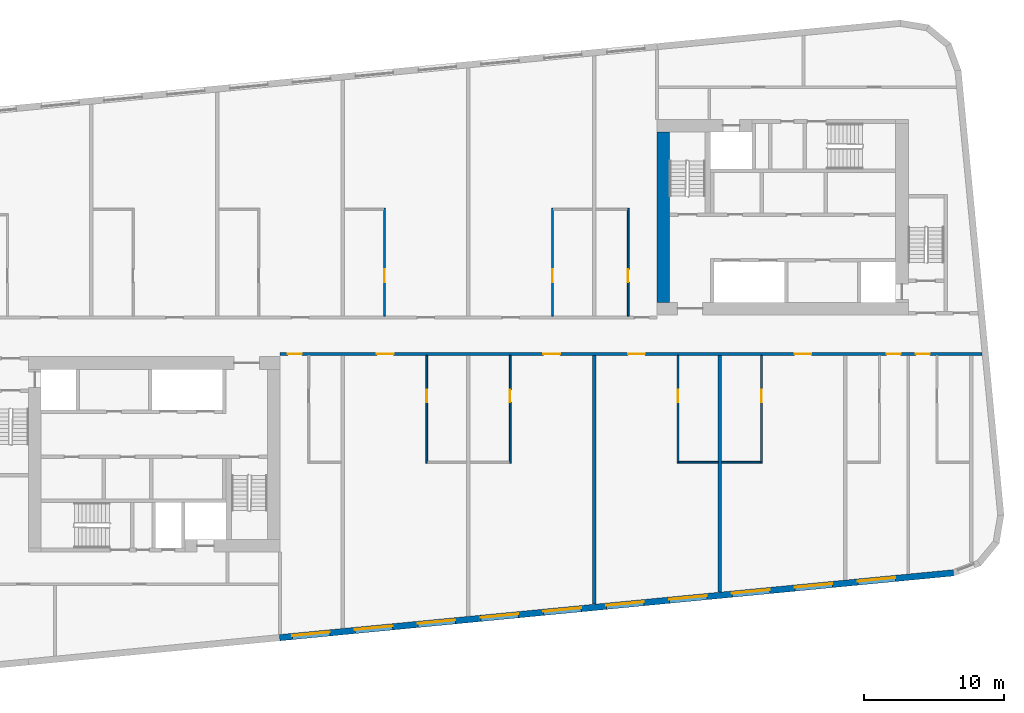
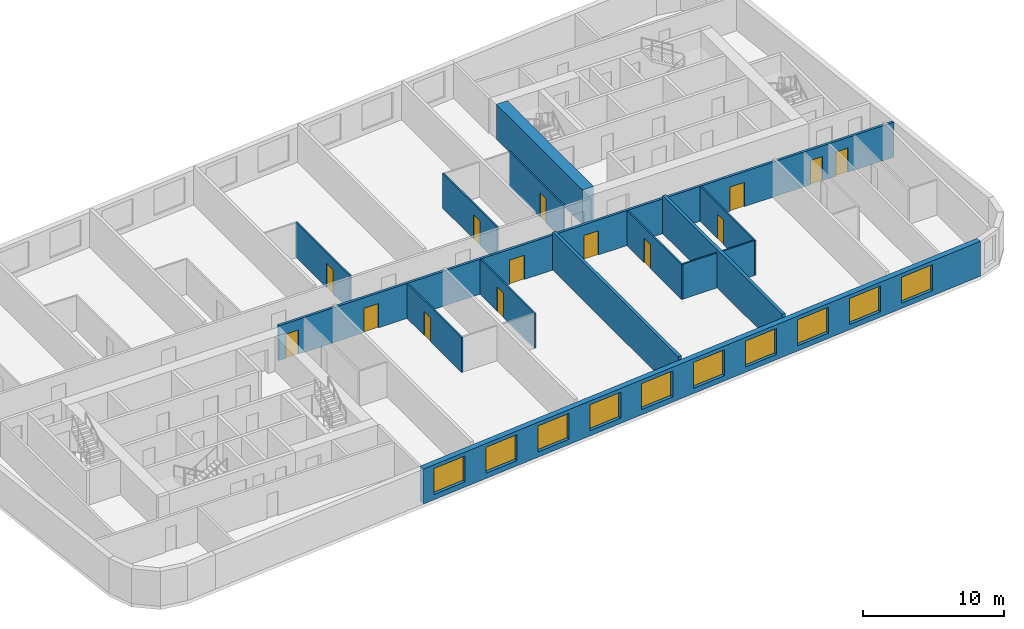
# One storey, part 4 of 11: 14 doors, 14 walls, 10 windows, 24 openings.
"""IFC4 building model written with IfcOpenShell, lengths in metres."""

from ifc_helpers import new_model, si_unit, direction, frame, frame_2d, origin, place, context, subcontext, project, spatial, rectangle, extrude, material, layer, layer_set, type_object, element, fill, save


model = new_model("IFC4")

# Units and contexts
model_context = context("Model", 3, precision=1e-05, world=origin(), true_north=direction((0.0, 1.0)))
body_context = subcontext(model_context, "Body", "Model", "MODEL_VIEW")
ifc_project = project(units=[si_unit("LENGTHUNIT", "METRE"), si_unit("AREAUNIT", "SQUARE_METRE"), si_unit("VOLUMEUNIT", "CUBIC_METRE"), si_unit("PLANEANGLEUNIT", "RADIAN"), si_unit("MASSUNIT", "GRAM", prefix="KILO")], contexts=[model_context])

# Site, building, storey
site_placement = place(None, origin())
site = spatial("IfcSite", under=ifc_project, at=site_placement, CompositionType="ELEMENT")
building_placement = place(site_placement, origin())
building = spatial("IfcBuilding", under=site, at=building_placement, Name="Kajstack Hotel Tower", CompositionType="ELEMENT")
storey_placement = place(building_placement, frame((0.0, 0.0, 271.800048828125)))
storey = spatial("IfcBuildingStorey", under=building, at=storey_placement, Name="L67", CompositionType="ELEMENT", Elevation=271.800048828125)

# Wall
ifc_material_1 = material(Name="Concrete C60/75", Category="concrete")
ifc_layer_1 = layer(ifc_material_1, 0.89990234375)
ifc_layer_set_1 = layer_set([ifc_layer_1], Name="Core wall 900")
wall_type_1 = type_object("IfcWallType", Name="Core wall 900", PredefinedType="SHEAR", material=ifc_layer_set_1)
wall_1_placement = place(storey_placement, frame((13.949951171875, 2.39990234375, 0.0), z_axis=(0.0, 0.0, 1.0), x_axis=(0.0, 1.0, 0.0)))
element("IfcWall", 1, at=wall_1_placement, inside=storey, type_object=wall_type_1, Name="Core wall E RE", PredefinedType="SHEAR", context=body_context, shape_type="SweptSolid", body=[
    extrude(rectangle(XDim=12.2001953125, YDim=0.89990234375, at=frame_2d((6.10009765625, 0.0))), origin(), (0.0, 0.0, 1.0), 3.02001953125),
])

# Wall, openings, doors
ifc_material_2 = material(Name="Gypsum board on steel studs, mineral wool", Category="steel")
ifc_layer_2 = layer(ifc_material_2, 0.199951171875)
ifc_layer_set_2 = layer_set([ifc_layer_2], Name="Corridor wall 200")
wall_type_2 = type_object("IfcWallType", Name="Corridor wall 200", PredefinedType="PARTITIONING", material=ifc_layer_set_2)
wall_2_placement = place(storey_placement, frame((-13.5, -1.300048828125, 0.0), z_axis=(0.0, 0.0, 1.0), x_axis=(1.0, 0.0, 0.0)))
wall_2 = element("IfcWall", 2, at=wall_2_placement, inside=storey, type_object=wall_type_2, Name="G-wall-L67-018", PredefinedType="PARTITIONING", context=body_context, shape_type="SweptSolid", body=[
    extrude(rectangle(XDim=50.29296875, YDim=0.199951171875, at=frame_2d((25.146484375, 0.0))), origin(), (0.0, 0.0, 1.0), 3.02001953125),
])
opening_1_placement = place(wall_2_placement, frame((0.574951171875, 0.0, 0.0)))
opening_1 = element("IfcOpeningElement", 3, at=opening_1_placement, cuts=wall_2, Name="Opening 67015", PredefinedType="OPENING", context=body_context, shape_type="SweptSolid", body=[
    extrude(rectangle(XDim=1.0, YDim=2.10009765625, at=frame_2d((0.5, 1.050048828125))), frame((0.0, 0.10986328125, 0.0), z_axis=(0.0, -1.0, 0.0), x_axis=(1.0, 0.0, 0.0)), (0.0, 0.0, 1.0), 0.219970703125),
])
opening_2_placement = place(wall_2_placement, frame((6.93798828125, 0.0, 0.0)))
opening_2 = element("IfcOpeningElement", 4, at=opening_2_placement, cuts=wall_2, Name="Opening 67017", PredefinedType="OPENING", context=body_context, shape_type="SweptSolid", body=[
    extrude(rectangle(XDim=1.199951171875, YDim=2.10009765625, at=frame_2d((0.60009765625, 1.050048828125))), frame((0.0, 0.10986328125, 0.0), z_axis=(0.0, -1.0, 0.0), x_axis=(1.0, 0.0, 0.0)), (0.0, 0.0, 1.0), 0.219970703125),
])
opening_3_placement = place(wall_2_placement, frame((18.862060546875, 0.0, 0.0)))
opening_3 = element("IfcOpeningElement", 5, at=opening_3_placement, cuts=wall_2, Name="Opening 67019", PredefinedType="OPENING", context=body_context, shape_type="SweptSolid", body=[
    extrude(rectangle(XDim=1.199951171875, YDim=2.10009765625, at=frame_2d((0.60009765625, 1.050048828125))), frame((0.0, 0.10986328125, 0.0), z_axis=(0.0, -1.0, 0.0), x_axis=(1.0, 0.0, 0.0)), (0.0, 0.0, 1.0), 0.219970703125),
])
opening_4_placement = place(wall_2_placement, frame((24.93798828125, 0.0, 0.0)))
opening_4 = element("IfcOpeningElement", 6, at=opening_4_placement, cuts=wall_2, Name="Opening 67021", PredefinedType="OPENING", context=body_context, shape_type="SweptSolid", body=[
    extrude(rectangle(XDim=1.199951171875, YDim=2.10009765625, at=frame_2d((0.60009765625, 1.050048828125))), frame((0.0, 0.10986328125, 0.0), z_axis=(0.0, -1.0, 0.0), x_axis=(1.0, 0.0, 0.0)), (0.0, 0.0, 1.0), 0.219970703125),
])
opening_5_placement = place(wall_2_placement, frame((36.862060546875, 0.0, 0.0)))
opening_5 = element("IfcOpeningElement", 7, at=opening_5_placement, cuts=wall_2, Name="Opening 67023", PredefinedType="OPENING", context=body_context, shape_type="SweptSolid", body=[
    extrude(rectangle(XDim=1.199951171875, YDim=2.10009765625, at=frame_2d((0.60009765625, 1.050048828125))), frame((0.0, 0.10986328125, 0.0), z_axis=(0.0, -1.0, 0.0), x_axis=(1.0, 0.0, 0.0)), (0.0, 0.0, 1.0), 0.219970703125),
])
opening_6_placement = place(wall_2_placement, frame((43.449951171875, 0.0, 0.0)))
opening_6 = element("IfcOpeningElement", 8, at=opening_6_placement, cuts=wall_2, Name="Opening 67025", PredefinedType="OPENING", context=body_context, shape_type="SweptSolid", body=[
    extrude(rectangle(XDim=1.0, YDim=2.10009765625, at=frame_2d((0.5, 1.050048828125))), frame((0.0, 0.10986328125, 0.0), z_axis=(0.0, -1.0, 0.0), x_axis=(1.0, 0.0, 0.0)), (0.0, 0.0, 1.0), 0.219970703125),
])
opening_7_placement = place(wall_2_placement, frame((45.550048828125, 0.0, 0.0)))
opening_7 = element("IfcOpeningElement", 9, at=opening_7_placement, cuts=wall_2, Name="Opening 67027", PredefinedType="OPENING", context=body_context, shape_type="SweptSolid", body=[
    extrude(rectangle(XDim=1.0, YDim=2.10009765625, at=frame_2d((0.5, 1.050048828125))), frame((0.0, 0.10986328125, 0.0), z_axis=(0.0, -1.0, 0.0), x_axis=(1.0, 0.0, 0.0)), (0.0, 0.0, 1.0), 0.219970703125),
])
ifc_material_3 = material(Name="Oak veneer on timber core, fire-rated leaf", Category="wood")
door_type_1 = type_object("IfcDoorType", Name="Flat entrance door 1000", OperationType="SINGLE_SWING_LEFT", PredefinedType="DOOR", material=ifc_material_3)
door_1_placement = place(opening_1_placement, origin())
door_1 = element("IfcDoor", 10, at=door_1_placement, inside=storey, type_object=door_type_1, Name="G-door-L67-15", OperationType="SINGLE_SWING_LEFT", OverallHeight=2.10009765625, OverallWidth=1.0, PredefinedType="DOOR", context=body_context, shape_type="SweptSolid", body=[
    extrude(rectangle(XDim=1.0, YDim=2.10009765625, at=frame_2d((0.5, 1.050048828125))), frame((0.0, 0.02490234375, 0.0), z_axis=(0.0, -1.0, 0.0), x_axis=(1.0, 0.0, 0.0)), (0.0, 0.0, 1.0), 0.050048828125),
])
fill(opening_1, door_1)
door_2_placement = place(opening_6_placement, origin())
door_2 = element("IfcDoor", 11, at=door_2_placement, inside=storey, type_object=door_type_1, Name="G-door-L67-25", OperationType="SINGLE_SWING_RIGHT", OverallHeight=2.10009765625, OverallWidth=1.0, PredefinedType="DOOR", context=body_context, shape_type="SweptSolid", body=[
    extrude(rectangle(XDim=1.0, YDim=2.10009765625, at=frame_2d((0.5, 1.050048828125))), frame((0.0, 0.02490234375, 0.0), z_axis=(0.0, -1.0, 0.0), x_axis=(1.0, 0.0, 0.0)), (0.0, 0.0, 1.0), 0.050048828125),
])
fill(opening_6, door_2)
door_3_placement = place(opening_7_placement, origin())
door_3 = element("IfcDoor", 12, at=door_3_placement, inside=storey, type_object=door_type_1, Name="G-door-L67-27", OperationType="SINGLE_SWING_LEFT", OverallHeight=2.10009765625, OverallWidth=1.0, PredefinedType="DOOR", context=body_context, shape_type="SweptSolid", body=[
    extrude(rectangle(XDim=1.0, YDim=2.10009765625, at=frame_2d((0.5, 1.050048828125))), frame((0.0, 0.02490234375, 0.0), z_axis=(0.0, -1.0, 0.0), x_axis=(1.0, 0.0, 0.0)), (0.0, 0.0, 1.0), 0.050048828125),
])
fill(opening_7, door_3)
door_type_2 = type_object("IfcDoorType", Name="Flat entrance door 1200", OperationType="SINGLE_SWING_LEFT", PredefinedType="DOOR", material=ifc_material_3)
door_4_placement = place(opening_2_placement, origin())
door_4 = element("IfcDoor", 13, at=door_4_placement, inside=storey, type_object=door_type_2, Name="G-door-L67-17", OperationType="SINGLE_SWING_LEFT", OverallHeight=2.10009765625, OverallWidth=1.199951171875, PredefinedType="DOOR", context=body_context, shape_type="SweptSolid", body=[
    extrude(rectangle(XDim=1.199951171875, YDim=2.10009765625, at=frame_2d((0.60009765625, 1.050048828125))), frame((0.0, 0.02490234375, 0.0), z_axis=(0.0, -1.0, 0.0), x_axis=(1.0, 0.0, 0.0)), (0.0, 0.0, 1.0), 0.050048828125),
])
fill(opening_2, door_4)
door_5_placement = place(opening_3_placement, origin())
door_5 = element("IfcDoor", 14, at=door_5_placement, inside=storey, type_object=door_type_2, Name="G-door-L67-19", OperationType="SINGLE_SWING_RIGHT", OverallHeight=2.10009765625, OverallWidth=1.199951171875, PredefinedType="DOOR", context=body_context, shape_type="SweptSolid", body=[
    extrude(rectangle(XDim=1.199951171875, YDim=2.10009765625, at=frame_2d((0.60009765625, 1.050048828125))), frame((0.0, 0.02490234375, 0.0), z_axis=(0.0, -1.0, 0.0), x_axis=(1.0, 0.0, 0.0)), (0.0, 0.0, 1.0), 0.050048828125),
])
fill(opening_3, door_5)
door_6_placement = place(opening_4_placement, origin())
door_6 = element("IfcDoor", 15, at=door_6_placement, inside=storey, type_object=door_type_2, Name="G-door-L67-21", OperationType="SINGLE_SWING_RIGHT", OverallHeight=2.10009765625, OverallWidth=1.199951171875, PredefinedType="DOOR", context=body_context, shape_type="SweptSolid", body=[
    extrude(rectangle(XDim=1.199951171875, YDim=2.10009765625, at=frame_2d((0.60009765625, 1.050048828125))), frame((0.0, 0.02490234375, 0.0), z_axis=(0.0, -1.0, 0.0), x_axis=(1.0, 0.0, 0.0)), (0.0, 0.0, 1.0), 0.050048828125),
])
fill(opening_4, door_6)
door_7_placement = place(opening_5_placement, origin())
door_7 = element("IfcDoor", 16, at=door_7_placement, inside=storey, type_object=door_type_2, Name="G-door-L67-23", OperationType="SINGLE_SWING_RIGHT", OverallHeight=2.10009765625, OverallWidth=1.199951171875, PredefinedType="DOOR", context=body_context, shape_type="SweptSolid", body=[
    extrude(rectangle(XDim=1.199951171875, YDim=2.10009765625, at=frame_2d((0.60009765625, 1.050048828125))), frame((0.0, 0.02490234375, 0.0), z_axis=(0.0, -1.0, 0.0), x_axis=(1.0, 0.0, 0.0)), (0.0, 0.0, 1.0), 0.050048828125),
])
fill(opening_5, door_7)

# Wall, openings, windows
ifc_material_4 = material(Name="Terracotta-faced brick masonry", Category="masonry")
ifc_layer_3 = layer(ifc_material_4, 0.449951171875)
ifc_layer_set_3 = layer_set([ifc_layer_3], Name="EW-TERRA")
wall_type_3 = type_object("IfcWallType", Name="EW-TERRA", PredefinedType="SOLIDWALL", material=ifc_layer_set_3)
wall_3_placement = place(storey_placement, frame((-13.521484375, -21.6240234375, 0.0), z_axis=(0.0, 0.0, 1.0), x_axis=(0.995396186218, 0.095845878695, 0.0)))
wall_3 = element("IfcWall", 17, at=wall_3_placement, inside=storey, type_object=wall_type_3, Name="E-wall-L67-04-02", PredefinedType="SOLIDWALL", context=body_context, shape_type="SweptSolid", body=[
    extrude(rectangle(XDim=48.481201171875, YDim=0.449951171875, at=frame_2d((24.24072265625, 0.0))), origin(), (0.0, 0.0, 1.0), 3.02001953125),
])
opening_8_placement = place(wall_3_placement, frame((0.910400390625, 0.0, 0.449951171875)))
opening_8 = element("IfcOpeningElement", 18, at=opening_8_placement, cuts=wall_3, Name="Opening W1", PredefinedType="OPENING", context=body_context, shape_type="SweptSolid", body=[
    extrude(rectangle(XDim=2.699951171875, YDim=2.25, at=frame_2d((1.35009765625, 1.125))), frame((0.0, 0.23486328125, 0.0), z_axis=(0.0, -1.0, 0.0), x_axis=(1.0, 0.0, 0.0)), (0.0, 0.0, 1.0), 0.469970703125),
])
opening_9_placement = place(wall_3_placement, frame((5.43115234375, 0.0, 0.449951171875)))
opening_9 = element("IfcOpeningElement", 19, at=opening_9_placement, cuts=wall_3, Name="Opening W1", PredefinedType="OPENING", context=body_context, shape_type="SweptSolid", body=[
    extrude(rectangle(XDim=2.699951171875, YDim=2.25, at=frame_2d((1.35009765625, 1.125))), frame((0.0, 0.23486328125, 0.0), z_axis=(0.0, -1.0, 0.0), x_axis=(1.0, 0.0, 0.0)), (0.0, 0.0, 1.0), 0.469970703125),
])
opening_10_placement = place(wall_3_placement, frame((9.951904296875, 0.0, 0.449951171875)))
opening_10 = element("IfcOpeningElement", 20, at=opening_10_placement, cuts=wall_3, Name="Opening W1", PredefinedType="OPENING", context=body_context, shape_type="SweptSolid", body=[
    extrude(rectangle(XDim=2.699951171875, YDim=2.25, at=frame_2d((1.35009765625, 1.125))), frame((0.0, 0.23486328125, 0.0), z_axis=(0.0, -1.0, 0.0), x_axis=(1.0, 0.0, 0.0)), (0.0, 0.0, 1.0), 0.469970703125),
])
opening_11_placement = place(wall_3_placement, frame((14.472900390625, 0.0, 0.449951171875)))
opening_11 = element("IfcOpeningElement", 21, at=opening_11_placement, cuts=wall_3, Name="Opening W1", PredefinedType="OPENING", context=body_context, shape_type="SweptSolid", body=[
    extrude(rectangle(XDim=2.699951171875, YDim=2.25, at=frame_2d((1.35009765625, 1.125))), frame((0.0, 0.23486328125, 0.0), z_axis=(0.0, -1.0, 0.0), x_axis=(1.0, 0.0, 0.0)), (0.0, 0.0, 1.0), 0.469970703125),
])
opening_12_placement = place(wall_3_placement, frame((18.99365234375, 0.0, 0.449951171875)))
opening_12 = element("IfcOpeningElement", 22, at=opening_12_placement, cuts=wall_3, Name="Opening W1", PredefinedType="OPENING", context=body_context, shape_type="SweptSolid", body=[
    extrude(rectangle(XDim=2.699951171875, YDim=2.25, at=frame_2d((1.35009765625, 1.125))), frame((0.0, 0.23486328125, 0.0), z_axis=(0.0, -1.0, 0.0), x_axis=(1.0, 0.0, 0.0)), (0.0, 0.0, 1.0), 0.469970703125),
])
opening_13_placement = place(wall_3_placement, frame((23.514404296875, 0.0, 0.449951171875)))
opening_13 = element("IfcOpeningElement", 23, at=opening_13_placement, cuts=wall_3, Name="Opening W1", PredefinedType="OPENING", context=body_context, shape_type="SweptSolid", body=[
    extrude(rectangle(XDim=2.699951171875, YDim=2.25, at=frame_2d((1.35009765625, 1.125))), frame((0.0, 0.23486328125, 0.0), z_axis=(0.0, -1.0, 0.0), x_axis=(1.0, 0.0, 0.0)), (0.0, 0.0, 1.0), 0.469970703125),
])
opening_14_placement = place(wall_3_placement, frame((28.03515625, 0.0, 0.449951171875)))
opening_14 = element("IfcOpeningElement", 24, at=opening_14_placement, cuts=wall_3, Name="Opening W1", PredefinedType="OPENING", context=body_context, shape_type="SweptSolid", body=[
    extrude(rectangle(XDim=2.699951171875, YDim=2.25, at=frame_2d((1.35009765625, 1.125))), frame((0.0, 0.23486328125, 0.0), z_axis=(0.0, -1.0, 0.0), x_axis=(1.0, 0.0, 0.0)), (0.0, 0.0, 1.0), 0.469970703125),
])
opening_15_placement = place(wall_3_placement, frame((32.55615234375, 0.0, 0.449951171875)))
opening_15 = element("IfcOpeningElement", 25, at=opening_15_placement, cuts=wall_3, Name="Opening W1", PredefinedType="OPENING", context=body_context, shape_type="SweptSolid", body=[
    extrude(rectangle(XDim=2.699951171875, YDim=2.25, at=frame_2d((1.35009765625, 1.125))), frame((0.0, 0.23486328125, 0.0), z_axis=(0.0, -1.0, 0.0), x_axis=(1.0, 0.0, 0.0)), (0.0, 0.0, 1.0), 0.469970703125),
])
opening_16_placement = place(wall_3_placement, frame((37.076904296875, 0.0, 0.449951171875)))
opening_16 = element("IfcOpeningElement", 26, at=opening_16_placement, cuts=wall_3, Name="Opening W1", PredefinedType="OPENING", context=body_context, shape_type="SweptSolid", body=[
    extrude(rectangle(XDim=2.699951171875, YDim=2.25, at=frame_2d((1.35009765625, 1.125))), frame((0.0, 0.23486328125, 0.0), z_axis=(0.0, -1.0, 0.0), x_axis=(1.0, 0.0, 0.0)), (0.0, 0.0, 1.0), 0.469970703125),
])
opening_17_placement = place(wall_3_placement, frame((41.59765625, 0.0, 0.449951171875)))
opening_17 = element("IfcOpeningElement", 27, at=opening_17_placement, cuts=wall_3, Name="Opening W1", PredefinedType="OPENING", context=body_context, shape_type="SweptSolid", body=[
    extrude(rectangle(XDim=2.699951171875, YDim=2.25, at=frame_2d((1.35009765625, 1.125))), frame((0.0, 0.23486328125, 0.0), z_axis=(0.0, -1.0, 0.0), x_axis=(1.0, 0.0, 0.0)), (0.0, 0.0, 1.0), 0.469970703125),
])
ifc_material_5 = material(Name="Timber-aluminium window, triple glazed", Category="wood")
window_type = type_object("IfcWindowType", Name="WG1", PartitioningType="SINGLE_PANEL", PredefinedType="WINDOW", material=ifc_material_5)
window_1_placement = place(opening_8_placement, origin())
window_1 = element("IfcWindow", 28, at=window_1_placement, inside=storey, type_object=window_type, Name="Window W1 L67-04", OverallHeight=2.25, OverallWidth=2.699951171875, PartitioningType="SINGLE_PANEL", PredefinedType="WINDOW", context=body_context, shape_type="SweptSolid", body=[
    extrude(rectangle(XDim=2.699951171875, YDim=2.25, at=frame_2d((1.35009765625, 1.125))), frame((0.0, 0.090087890625, 0.0), z_axis=(0.0, -1.0, 0.0), x_axis=(1.0, 0.0, 0.0)), (0.0, 0.0, 1.0), 0.06005859375),
])
fill(opening_8, window_1)
window_2_placement = place(opening_9_placement, origin())
window_2 = element("IfcWindow", 29, at=window_2_placement, inside=storey, type_object=window_type, Name="Window W1 L67-04", OverallHeight=2.25, OverallWidth=2.699951171875, PartitioningType="SINGLE_PANEL", PredefinedType="WINDOW", context=body_context, shape_type="SweptSolid", body=[
    extrude(rectangle(XDim=2.699951171875, YDim=2.25, at=frame_2d((1.35009765625, 1.125))), frame((0.0, 0.090087890625, 0.0), z_axis=(0.0, -1.0, 0.0), x_axis=(1.0, 0.0, 0.0)), (0.0, 0.0, 1.0), 0.06005859375),
])
fill(opening_9, window_2)
window_3_placement = place(opening_10_placement, origin())
window_3 = element("IfcWindow", 30, at=window_3_placement, inside=storey, type_object=window_type, Name="Window W1 L67-04", OverallHeight=2.25, OverallWidth=2.699951171875, PartitioningType="SINGLE_PANEL", PredefinedType="WINDOW", context=body_context, shape_type="SweptSolid", body=[
    extrude(rectangle(XDim=2.699951171875, YDim=2.25, at=frame_2d((1.35009765625, 1.125))), frame((0.0, 0.090087890625, 0.0), z_axis=(0.0, -1.0, 0.0), x_axis=(1.0, 0.0, 0.0)), (0.0, 0.0, 1.0), 0.06005859375),
])
fill(opening_10, window_3)
window_4_placement = place(opening_11_placement, origin())
window_4 = element("IfcWindow", 31, at=window_4_placement, inside=storey, type_object=window_type, Name="Window W1 L67-04", OverallHeight=2.25, OverallWidth=2.699951171875, PartitioningType="SINGLE_PANEL", PredefinedType="WINDOW", context=body_context, shape_type="SweptSolid", body=[
    extrude(rectangle(XDim=2.699951171875, YDim=2.25, at=frame_2d((1.35009765625, 1.125))), frame((0.0, 0.090087890625, 0.0), z_axis=(0.0, -1.0, 0.0), x_axis=(1.0, 0.0, 0.0)), (0.0, 0.0, 1.0), 0.06005859375),
])
fill(opening_11, window_4)
window_5_placement = place(opening_12_placement, origin())
window_5 = element("IfcWindow", 32, at=window_5_placement, inside=storey, type_object=window_type, Name="Window W1 L67-04", OverallHeight=2.25, OverallWidth=2.699951171875, PartitioningType="SINGLE_PANEL", PredefinedType="WINDOW", context=body_context, shape_type="SweptSolid", body=[
    extrude(rectangle(XDim=2.699951171875, YDim=2.25, at=frame_2d((1.35009765625, 1.125))), frame((0.0, 0.090087890625, 0.0), z_axis=(0.0, -1.0, 0.0), x_axis=(1.0, 0.0, 0.0)), (0.0, 0.0, 1.0), 0.06005859375),
])
fill(opening_12, window_5)
window_6_placement = place(opening_13_placement, origin())
window_6 = element("IfcWindow", 33, at=window_6_placement, inside=storey, type_object=window_type, Name="Window W1 L67-04", OverallHeight=2.25, OverallWidth=2.699951171875, PartitioningType="SINGLE_PANEL", PredefinedType="WINDOW", context=body_context, shape_type="SweptSolid", body=[
    extrude(rectangle(XDim=2.699951171875, YDim=2.25, at=frame_2d((1.35009765625, 1.125))), frame((0.0, 0.090087890625, 0.0), z_axis=(0.0, -1.0, 0.0), x_axis=(1.0, 0.0, 0.0)), (0.0, 0.0, 1.0), 0.06005859375),
])
fill(opening_13, window_6)
window_7_placement = place(opening_14_placement, origin())
window_7 = element("IfcWindow", 34, at=window_7_placement, inside=storey, type_object=window_type, Name="Window W1 L67-04", OverallHeight=2.25, OverallWidth=2.699951171875, PartitioningType="SINGLE_PANEL", PredefinedType="WINDOW", context=body_context, shape_type="SweptSolid", body=[
    extrude(rectangle(XDim=2.699951171875, YDim=2.25, at=frame_2d((1.35009765625, 1.125))), frame((0.0, 0.090087890625, 0.0), z_axis=(0.0, -1.0, 0.0), x_axis=(1.0, 0.0, 0.0)), (0.0, 0.0, 1.0), 0.06005859375),
])
fill(opening_14, window_7)
window_8_placement = place(opening_15_placement, origin())
window_8 = element("IfcWindow", 35, at=window_8_placement, inside=storey, type_object=window_type, Name="Window W1 L67-04", OverallHeight=2.25, OverallWidth=2.699951171875, PartitioningType="SINGLE_PANEL", PredefinedType="WINDOW", context=body_context, shape_type="SweptSolid", body=[
    extrude(rectangle(XDim=2.699951171875, YDim=2.25, at=frame_2d((1.35009765625, 1.125))), frame((0.0, 0.090087890625, 0.0), z_axis=(0.0, -1.0, 0.0), x_axis=(1.0, 0.0, 0.0)), (0.0, 0.0, 1.0), 0.06005859375),
])
fill(opening_15, window_8)
window_9_placement = place(opening_16_placement, origin())
window_9 = element("IfcWindow", 36, at=window_9_placement, inside=storey, type_object=window_type, Name="Window W1 L67-04", OverallHeight=2.25, OverallWidth=2.699951171875, PartitioningType="SINGLE_PANEL", PredefinedType="WINDOW", context=body_context, shape_type="SweptSolid", body=[
    extrude(rectangle(XDim=2.699951171875, YDim=2.25, at=frame_2d((1.35009765625, 1.125))), frame((0.0, 0.090087890625, 0.0), z_axis=(0.0, -1.0, 0.0), x_axis=(1.0, 0.0, 0.0)), (0.0, 0.0, 1.0), 0.06005859375),
])
fill(opening_16, window_9)
window_10_placement = place(opening_17_placement, origin())
window_10 = element("IfcWindow", 37, at=window_10_placement, inside=storey, type_object=window_type, Name="Window W1 L67-04", OverallHeight=2.25, OverallWidth=2.699951171875, PartitioningType="SINGLE_PANEL", PredefinedType="WINDOW", context=body_context, shape_type="SweptSolid", body=[
    extrude(rectangle(XDim=2.699951171875, YDim=2.25, at=frame_2d((1.35009765625, 1.125))), frame((0.0, 0.090087890625, 0.0), z_axis=(0.0, -1.0, 0.0), x_axis=(1.0, 0.0, 0.0)), (0.0, 0.0, 1.0), 0.06005859375),
])
fill(opening_17, window_10)

# Wall, opening, door
ifc_material_6 = material(Name="Gypsum board and tiled backer on steel studs", Category="steel")
ifc_layer_4 = layer(ifc_material_6, 0.125)
ifc_layer_set_4 = layer_set([ifc_layer_4], Name="En-suite wall 125")
wall_type_4 = type_object("IfcWallType", Name="En-suite wall 125", PredefinedType="PARTITIONING", material=ifc_layer_set_4)
wall_4_placement = place(storey_placement, frame((-6.012939453125, 1.39990234375, 0.0), z_axis=(0.0, 0.0, 1.0), x_axis=(0.0, 1.0, 0.0)))
wall_4 = element("IfcWall", 38, at=wall_4_placement, inside=storey, type_object=wall_type_4, Name="G-wall-L67-012", PredefinedType="PARTITIONING", context=body_context, shape_type="SweptSolid", body=[
    extrude(rectangle(XDim=7.72509765625, YDim=0.125, at=frame_2d((3.862548828125, 0.0))), origin(), (0.0, 0.0, 1.0), 3.02001953125),
])
opening_18_placement = place(wall_4_placement, frame((2.449951171875, 0.0, 0.0)))
opening_18 = element("IfcOpeningElement", 39, at=opening_18_placement, cuts=wall_4, Name="Opening 67010", PredefinedType="OPENING", context=body_context, shape_type="SweptSolid", body=[
    extrude(rectangle(XDim=0.89990234375, YDim=2.10009765625, at=frame_2d((0.449951171875, 1.050048828125))), frame((0.0, 0.072509765625, 0.0), z_axis=(0.0, -1.0, 0.0), x_axis=(1.0, 0.0, 0.0)), (0.0, 0.0, 1.0), 0.14501953125),
])
ifc_material_7 = material(Name="Painted timber door leaf", Category="wood")
door_type_3 = type_object("IfcDoorType", Name="Room door 900", OperationType="SINGLE_SWING_LEFT", PredefinedType="DOOR", material=ifc_material_7)
door_8_placement = place(opening_18_placement, origin())
door_8 = element("IfcDoor", 40, at=door_8_placement, inside=storey, type_object=door_type_3, Name="G-door-L67-10", OperationType="SINGLE_SWING_RIGHT", OverallHeight=2.10009765625, OverallWidth=0.89990234375, PredefinedType="DOOR", context=body_context, shape_type="SweptSolid", body=[
    extrude(rectangle(XDim=0.89990234375, YDim=2.10009765625, at=frame_2d((0.449951171875, 1.050048828125))), frame((0.0, 0.02490234375, 0.0), z_axis=(0.0, -1.0, 0.0), x_axis=(1.0, 0.0, 0.0)), (0.0, 0.0, 1.0), 0.050048828125),
])
fill(opening_18, door_8)

wall_5_placement = place(storey_placement, frame((6.012939453125, 1.39990234375, 0.0), z_axis=(0.0, 0.0, 1.0), x_axis=(0.0, 1.0, 0.0)))
wall_5 = element("IfcWall", 41, at=wall_5_placement, inside=storey, type_object=wall_type_4, Name="G-wall-L67-014", PredefinedType="PARTITIONING", context=body_context, shape_type="SweptSolid", body=[
    extrude(rectangle(XDim=7.72509765625, YDim=0.125, at=frame_2d((3.862548828125, 0.0))), origin(), (0.0, 0.0, 1.0), 3.02001953125),
])
opening_19_placement = place(wall_5_placement, frame((2.449951171875, 0.0, 0.0)))
opening_19 = element("IfcOpeningElement", 42, at=opening_19_placement, cuts=wall_5, Name="Opening 67012", PredefinedType="OPENING", context=body_context, shape_type="SweptSolid", body=[
    extrude(rectangle(XDim=0.89990234375, YDim=2.10009765625, at=frame_2d((0.449951171875, 1.050048828125))), frame((0.0, 0.072509765625, 0.0), z_axis=(0.0, -1.0, 0.0), x_axis=(1.0, 0.0, 0.0)), (0.0, 0.0, 1.0), 0.14501953125),
])
door_9_placement = place(opening_19_placement, origin())
door_9 = element("IfcDoor", 43, at=door_9_placement, inside=storey, type_object=door_type_3, Name="G-door-L67-12", OperationType="SINGLE_SWING_LEFT", OverallHeight=2.10009765625, OverallWidth=0.89990234375, PredefinedType="DOOR", context=body_context, shape_type="SweptSolid", body=[
    extrude(rectangle(XDim=0.89990234375, YDim=2.10009765625, at=frame_2d((0.449951171875, 1.050048828125))), frame((0.0, 0.02490234375, 0.0), z_axis=(0.0, -1.0, 0.0), x_axis=(1.0, 0.0, 0.0)), (0.0, 0.0, 1.0), 0.050048828125),
])
fill(opening_19, door_9)

wall_6_placement = place(storey_placement, frame((11.43798828125, 1.39990234375, 0.0), z_axis=(0.0, 0.0, 1.0), x_axis=(0.0, 1.0, 0.0)))
wall_6 = element("IfcWall", 44, at=wall_6_placement, inside=storey, type_object=wall_type_4, Name="G-wall-L67-016", PredefinedType="PARTITIONING", context=body_context, shape_type="SweptSolid", body=[
    extrude(rectangle(XDim=7.72509765625, YDim=0.125, at=frame_2d((3.862548828125, 0.0))), origin(), (0.0, 0.0, 1.0), 3.02001953125),
])
opening_20_placement = place(wall_6_placement, frame((2.449951171875, 0.0, 0.0)))
opening_20 = element("IfcOpeningElement", 45, at=opening_20_placement, cuts=wall_6, Name="Opening 67014", PredefinedType="OPENING", context=body_context, shape_type="SweptSolid", body=[
    extrude(rectangle(XDim=0.89990234375, YDim=2.10009765625, at=frame_2d((0.449951171875, 1.050048828125))), frame((0.0, 0.072509765625, 0.0), z_axis=(0.0, -1.0, 0.0), x_axis=(1.0, 0.0, 0.0)), (0.0, 0.0, 1.0), 0.14501953125),
])
door_10_placement = place(opening_20_placement, origin())
door_10 = element("IfcDoor", 46, at=door_10_placement, inside=storey, type_object=door_type_3, Name="G-door-L67-14", OperationType="SINGLE_SWING_LEFT", OverallHeight=2.10009765625, OverallWidth=0.89990234375, PredefinedType="DOOR", context=body_context, shape_type="SweptSolid", body=[
    extrude(rectangle(XDim=0.89990234375, YDim=2.10009765625, at=frame_2d((0.449951171875, 1.050048828125))), frame((0.0, 0.02490234375, 0.0), z_axis=(0.0, -1.0, 0.0), x_axis=(1.0, 0.0, 0.0)), (0.0, 0.0, 1.0), 0.050048828125),
])
fill(opening_20, door_10)

wall_7_placement = place(storey_placement, frame((-2.987060546875, -9.125, 0.0), z_axis=(0.0, 0.0, 1.0), x_axis=(0.0, 1.0, 0.0)))
wall_7 = element("IfcWall", 47, at=wall_7_placement, inside=storey, type_object=wall_type_4, Name="G-wall-L67-021", PredefinedType="PARTITIONING", context=body_context, shape_type="SweptSolid", body=[
    extrude(rectangle(XDim=7.72509765625, YDim=0.125, at=frame_2d((3.862548828125, 0.0))), origin(), (0.0, 0.0, 1.0), 3.02001953125),
])
opening_21_placement = place(wall_7_placement, frame((4.375, 0.0, 0.0)))
opening_21 = element("IfcOpeningElement", 48, at=opening_21_placement, cuts=wall_7, Name="Opening 67018", PredefinedType="OPENING", context=body_context, shape_type="SweptSolid", body=[
    extrude(rectangle(XDim=0.89990234375, YDim=2.10009765625, at=frame_2d((0.449951171875, 1.050048828125))), frame((0.0, 0.072509765625, 0.0), z_axis=(0.0, -1.0, 0.0), x_axis=(1.0, 0.0, 0.0)), (0.0, 0.0, 1.0), 0.14501953125),
])
door_11_placement = place(opening_21_placement, origin())
door_11 = element("IfcDoor", 49, at=door_11_placement, inside=storey, type_object=door_type_3, Name="G-door-L67-18", OperationType="SINGLE_SWING_RIGHT", OverallHeight=2.10009765625, OverallWidth=0.89990234375, PredefinedType="DOOR", context=body_context, shape_type="SweptSolid", body=[
    extrude(rectangle(XDim=0.89990234375, YDim=2.10009765625, at=frame_2d((0.449951171875, 1.050048828125))), frame((0.0, 0.02490234375, 0.0), z_axis=(0.0, -1.0, 0.0), x_axis=(1.0, 0.0, 0.0)), (0.0, 0.0, 1.0), 0.050048828125),
])
fill(opening_21, door_11)

wall_8_placement = place(storey_placement, frame((2.987060546875, -9.125, 0.0), z_axis=(0.0, 0.0, 1.0), x_axis=(0.0, 1.0, 0.0)))
wall_8 = element("IfcWall", 50, at=wall_8_placement, inside=storey, type_object=wall_type_4, Name="G-wall-L67-023", PredefinedType="PARTITIONING", context=body_context, shape_type="SweptSolid", body=[
    extrude(rectangle(XDim=7.72509765625, YDim=0.125, at=frame_2d((3.862548828125, 0.0))), origin(), (0.0, 0.0, 1.0), 3.02001953125),
])
opening_22_placement = place(wall_8_placement, frame((4.375, 0.0, 0.0)))
opening_22 = element("IfcOpeningElement", 51, at=opening_22_placement, cuts=wall_8, Name="Opening 67020", PredefinedType="OPENING", context=body_context, shape_type="SweptSolid", body=[
    extrude(rectangle(XDim=0.89990234375, YDim=2.10009765625, at=frame_2d((0.449951171875, 1.050048828125))), frame((0.0, 0.072509765625, 0.0), z_axis=(0.0, -1.0, 0.0), x_axis=(1.0, 0.0, 0.0)), (0.0, 0.0, 1.0), 0.14501953125),
])
door_12_placement = place(opening_22_placement, origin())
door_12 = element("IfcDoor", 52, at=door_12_placement, inside=storey, type_object=door_type_3, Name="G-door-L67-20", OperationType="SINGLE_SWING_RIGHT", OverallHeight=2.10009765625, OverallWidth=0.89990234375, PredefinedType="DOOR", context=body_context, shape_type="SweptSolid", body=[
    extrude(rectangle(XDim=0.89990234375, YDim=2.10009765625, at=frame_2d((0.449951171875, 1.050048828125))), frame((0.0, 0.02490234375, 0.0), z_axis=(0.0, -1.0, 0.0), x_axis=(1.0, 0.0, 0.0)), (0.0, 0.0, 1.0), 0.050048828125),
])
fill(opening_22, door_12)

wall_9_placement = place(storey_placement, frame((15.011962890625, -9.125, 0.0), z_axis=(0.0, 0.0, 1.0), x_axis=(0.0, 1.0, 0.0)))
wall_9 = element("IfcWall", 53, at=wall_9_placement, inside=storey, type_object=wall_type_4, Name="G-wall-L67-025", PredefinedType="PARTITIONING", context=body_context, shape_type="SweptSolid", body=[
    extrude(rectangle(XDim=7.72509765625, YDim=0.125, at=frame_2d((3.862548828125, 0.0))), origin(), (0.0, 0.0, 1.0), 3.02001953125),
])
opening_23_placement = place(wall_9_placement, frame((4.375, 0.0, 0.0)))
opening_23 = element("IfcOpeningElement", 54, at=opening_23_placement, cuts=wall_9, Name="Opening 67022", PredefinedType="OPENING", context=body_context, shape_type="SweptSolid", body=[
    extrude(rectangle(XDim=0.89990234375, YDim=2.10009765625, at=frame_2d((0.449951171875, 1.050048828125))), frame((0.0, 0.072509765625, 0.0), z_axis=(0.0, -1.0, 0.0), x_axis=(1.0, 0.0, 0.0)), (0.0, 0.0, 1.0), 0.14501953125),
])
door_13_placement = place(opening_23_placement, origin())
door_13 = element("IfcDoor", 55, at=door_13_placement, inside=storey, type_object=door_type_3, Name="G-door-L67-22", OperationType="SINGLE_SWING_LEFT", OverallHeight=2.10009765625, OverallWidth=0.89990234375, PredefinedType="DOOR", context=body_context, shape_type="SweptSolid", body=[
    extrude(rectangle(XDim=0.89990234375, YDim=2.10009765625, at=frame_2d((0.449951171875, 1.050048828125))), frame((0.0, 0.02490234375, 0.0), z_axis=(0.0, -1.0, 0.0), x_axis=(1.0, 0.0, 0.0)), (0.0, 0.0, 1.0), 0.050048828125),
])
fill(opening_23, door_13)

# Wall
wall_10_placement = place(storey_placement, frame((15.074951171875, -9.06201171875, 0.0), z_axis=(0.0, 0.0, 1.0), x_axis=(1.0, 0.0, 0.0)))
element("IfcWall", 56, at=wall_10_placement, inside=storey, type_object=wall_type_4, Name="G-wall-L67-026", PredefinedType="PARTITIONING", context=body_context, shape_type="SweptSolid", body=[
    extrude(rectangle(XDim=2.800048828125, YDim=0.125, at=frame_2d((1.39990234375, 0.0))), origin(), (0.0, 0.0, 1.0), 3.02001953125),
])

# Wall, opening, door
wall_11_placement = place(storey_placement, frame((20.988037109375, -9.125, 0.0), z_axis=(0.0, 0.0, 1.0), x_axis=(0.0, 1.0, 0.0)))
wall_11 = element("IfcWall", 57, at=wall_11_placement, inside=storey, type_object=wall_type_4, Name="G-wall-L67-027", PredefinedType="PARTITIONING", context=body_context, shape_type="SweptSolid", body=[
    extrude(rectangle(XDim=7.72509765625, YDim=0.125, at=frame_2d((3.862548828125, 0.0))), origin(), (0.0, 0.0, 1.0), 3.02001953125),
])
opening_24_placement = place(wall_11_placement, frame((4.375, 0.0, 0.0)))
opening_24 = element("IfcOpeningElement", 58, at=opening_24_placement, cuts=wall_11, Name="Opening 67024", PredefinedType="OPENING", context=body_context, shape_type="SweptSolid", body=[
    extrude(rectangle(XDim=0.89990234375, YDim=2.10009765625, at=frame_2d((0.449951171875, 1.050048828125))), frame((0.0, 0.072509765625, 0.0), z_axis=(0.0, -1.0, 0.0), x_axis=(1.0, 0.0, 0.0)), (0.0, 0.0, 1.0), 0.14501953125),
])
door_14_placement = place(opening_24_placement, origin())
door_14 = element("IfcDoor", 59, at=door_14_placement, inside=storey, type_object=door_type_3, Name="G-door-L67-24", OperationType="SINGLE_SWING_LEFT", OverallHeight=2.10009765625, OverallWidth=0.89990234375, PredefinedType="DOOR", context=body_context, shape_type="SweptSolid", body=[
    extrude(rectangle(XDim=0.89990234375, YDim=2.10009765625, at=frame_2d((0.449951171875, 1.050048828125))), frame((0.0, 0.02490234375, 0.0), z_axis=(0.0, -1.0, 0.0), x_axis=(1.0, 0.0, 0.0)), (0.0, 0.0, 1.0), 0.050048828125),
])
fill(opening_24, door_14)

# Walls
wall_12_placement = place(storey_placement, frame((18.125, -9.06201171875, 0.0), z_axis=(0.0, 0.0, 1.0), x_axis=(1.0, 0.0, 0.0)))
element("IfcWall", 60, at=wall_12_placement, inside=storey, type_object=wall_type_4, Name="G-wall-L67-028", PredefinedType="PARTITIONING", context=body_context, shape_type="SweptSolid", body=[
    extrude(rectangle(XDim=2.800048828125, YDim=0.125, at=frame_2d((1.39990234375, 0.0))), origin(), (0.0, 0.0, 1.0), 3.02001953125),
])
ifc_material_8 = material(Name="Concrete C40/50", Category="concrete")
ifc_layer_5 = layer(ifc_material_8, 0.25)
ifc_layer_set_5 = layer_set([ifc_layer_5], Name="RC cross wall 250 C40/50")
wall_type_5 = type_object("IfcWallType", Name="RC cross wall 250 C40/50", PredefinedType="SHEAR", material=ifc_layer_set_5)
wall_13_placement = place(storey_placement, frame((9.0, -19.207275390625, 0.0), z_axis=(0.0, 0.0, 1.0), x_axis=(0.0, 1.0, 0.0)))
element("IfcWall", 61, at=wall_13_placement, inside=storey, type_object=wall_type_5, Name="S-wall-L67-08", PredefinedType="SHEAR", context=body_context, shape_type="SweptSolid", body=[
    extrude(rectangle(XDim=17.807373046875, YDim=0.25, at=frame_2d((8.90380859375, 0.0))), origin(), (0.0, 0.0, 1.0), 3.300048828125),
])
wall_14_placement = place(storey_placement, frame((18.0, -18.3408203125, 0.0), z_axis=(0.0, 0.0, 1.0), x_axis=(0.0, 1.0, 0.0)))
element("IfcWall", 62, at=wall_14_placement, inside=storey, type_object=wall_type_5, Name="S-wall-L67-10", PredefinedType="SHEAR", context=body_context, shape_type="SweptSolid", body=[
    extrude(rectangle(XDim=16.94091796875, YDim=0.25, at=frame_2d((8.470458984375, 0.0))), origin(), (0.0, 0.0, 1.0), 3.300048828125),
])

save(model, "model.ifc")
